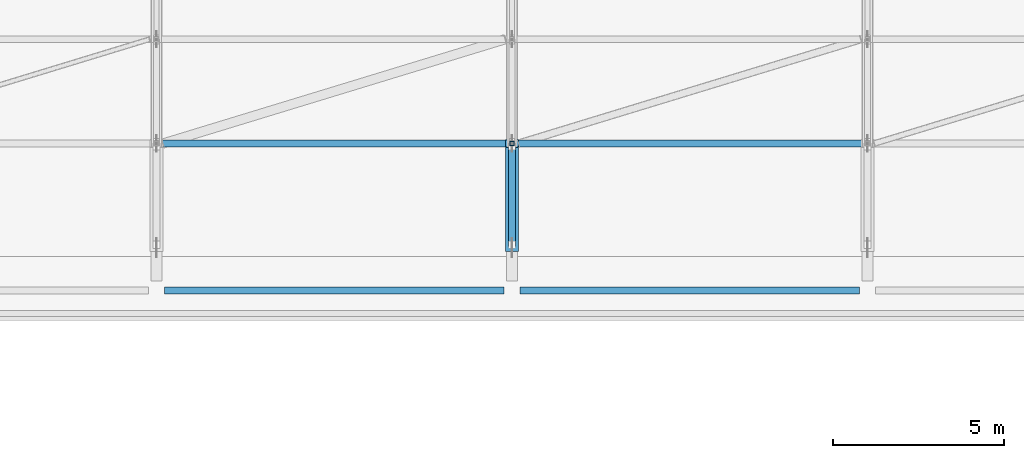
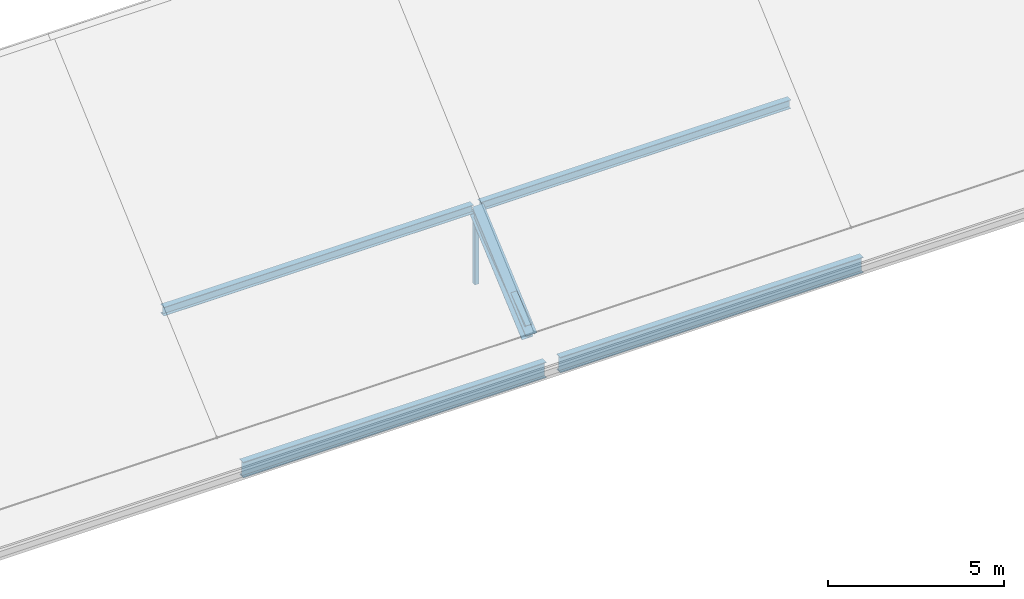
# One storey, part 19 of 86: 4 beams, 3 members.
"""IFC4 building model written with IfcOpenShell, lengths in metres."""

import ifcopenshell
import ifcopenshell.guid

model = None  # the IFC model being written
_history = None  # IfcOwnerHistory: only IFC2X3 demands one
_inside = {}  # id of a spatial element -> (the spatial element, [elements in it])
_under = {}  # id of a project, library or spatial element -> (it, [spatial elements below it])
_declared = {}  # id of a project -> (the project, [libraries it declares])
_typed = {}  # id of a type object -> (the type object, [elements of that type])
_made_of = {}  # id of a material, layer set ... -> (it, [elements and type objects made of it])


def new_model(schema):
    """Start an empty IFC model of exactly this schema.

    Asked for "IFC4X3", IfcOpenShell would pick the latest addendum, in which some entities
    have other attributes; the version numbers below select the first issue.
    IFC2X3 requires an IfcOwnerHistory on every rooted entity: one is made here for all.
    """
    global model, _history
    if schema == "IFC4X3":
        model = ifcopenshell.file(schema_version=(4, 3, 0, 0))
    else:
        model = ifcopenshell.file(schema=schema)
    _inside.clear()
    _under.clear()
    _declared.clear()
    _typed.clear()
    _made_of.clear()
    _history = None
    if model.schema == "IFC2X3":
        org = make("IfcOrganization", Name="unknown")
        user = make(
            "IfcPersonAndOrganization",
            ThePerson=make("IfcPerson", FamilyName="unknown"),
            TheOrganization=org,
        )
        app = make(
            "IfcApplication",
            ApplicationDeveloper=org,
            Version="unknown",
            ApplicationFullName="unknown",
            ApplicationIdentifier="unknown",
        )
        _history = make(
            "IfcOwnerHistory",
            OwningUser=user,
            OwningApplication=app,
            ChangeAction="ADDED",
            CreationDate=0,
        )
    return model


def make(cls, **values):
    """One entity of the class cls with the attributes given. An attribute that is None is left unset."""
    return model.create_entity(
        cls, **{name: value for name, value in values.items() if value is not None}
    )


def rooted(cls, **values):
    """An entity with a GlobalId (a new one), such as an element, a storey or a relation."""
    return make(cls, GlobalId=ifcopenshell.guid.new(), OwnerHistory=_history, **values)


def si_unit(unit_type, name, prefix=None):
    """IfcSIUnit, for example si_unit("LENGTHUNIT", "METRE", prefix="MILLI")."""
    return make("IfcSIUnit", UnitType=unit_type, Prefix=prefix, Name=name)


def derived_unit(unit_type, elements):
    """IfcDerivedUnit: a product of units, each with its exponent."""
    return make(
        "IfcDerivedUnit",
        Elements=[
            make("IfcDerivedUnitElement", Unit=unit, Exponent=power)
            for unit, power in elements
        ],
        UnitType=unit_type,
    )


def assignment(units):
    """IfcUnitAssignment: the units of a project."""
    return None if units is None else make("IfcUnitAssignment", Units=units)


def point(xyz):
    """IfcCartesianPoint."""
    return None if xyz is None else make("IfcCartesianPoint", Coordinates=xyz)


def direction(xyz):
    """IfcDirection."""
    return None if xyz is None else make("IfcDirection", DirectionRatios=xyz)


def frame(location, z_axis=None, x_axis=None):
    """IfcAxis2Placement3D, a coordinate frame: its origin and axes. An axis left out is left unset."""
    return make(
        "IfcAxis2Placement3D",
        Location=point(location),
        Axis=direction(z_axis),
        RefDirection=direction(x_axis),
    )


def frame_2d(location, x_axis=None):
    """IfcAxis2Placement2D, a coordinate frame in the plane: its origin and x axis."""
    return make(
        "IfcAxis2Placement2D", Location=point(location), RefDirection=direction(x_axis)
    )


def origin():
    """The frame at (0, 0, 0) with its axes left unset."""
    return frame((0.0, 0.0, 0.0))


def origin_2d():
    """The frame at (0, 0) in the plane with its x axis left unset."""
    return frame_2d((0.0, 0.0))


def place(relative_to, where):
    """IfcLocalPlacement: puts the frame where relative to a parent placement (None: the world)."""
    return make(
        "IfcLocalPlacement", PlacementRelTo=relative_to, RelativePlacement=where
    )


def context(
    kind, dimensions, precision=None, world=None, true_north=None, identifier=None
):
    """IfcGeometricRepresentationContext, for example the 3D "Model" context."""
    return make(
        "IfcGeometricRepresentationContext",
        ContextIdentifier=identifier,
        ContextType=kind,
        CoordinateSpaceDimension=dimensions,
        Precision=precision,
        WorldCoordinateSystem=world,
        TrueNorth=true_north,
    )


def subcontext(parent, identifier, kind, view, scale=None):
    """IfcGeometricRepresentationSubContext, for example "Body" below "Model"."""
    return make(
        "IfcGeometricRepresentationSubContext",
        ContextIdentifier=identifier,
        ContextType=kind,
        ParentContext=parent,
        TargetScale=scale,
        TargetView=view,
    )


def project(units=None, contexts=None):
    """IfcProject with its units and contexts."""
    return rooted(
        "IfcProject",
        Name="project",
        RepresentationContexts=contexts,
        UnitsInContext=assignment(units),
    )


def spatial(cls, under=None, at=None, **own):
    """A site, building, storey or space (cls), placed at a placement, below another one or the project."""
    s = rooted(cls, ObjectPlacement=at, **own)
    if under is not None:
        _under.setdefault(under.id(), (under, []))[1].append(s)
    return s


def profile(cls, at=None, kind="AREA", **sizes):
    """A parametric profile (cls). Its sizes go by their IFC names, for example OverallWidth=200.0."""
    return make(cls, ProfileType=kind, Position=at, **sizes)


def hollow_rectangle(**sizes):
    """IfcRectangleHollowProfileDef."""
    return profile("IfcRectangleHollowProfileDef", **sizes)


def i_section(**sizes):
    """IfcIShapeProfileDef."""
    return profile("IfcIShapeProfileDef", **sizes)


def extrude(swept, where, along, depth):
    """IfcExtrudedAreaSolid: the profile swept, set in the frame where, extruded along a direction by depth."""
    return make(
        "IfcExtrudedAreaSolid",
        SweptArea=swept,
        Position=where,
        ExtrudedDirection=direction(along),
        Depth=depth,
    )


def shape(context_of_items, identifier, shape_type, items):
    """IfcShapeRepresentation: the items that make up one representation, for example the "Body"."""
    return make(
        "IfcShapeRepresentation",
        ContextOfItems=context_of_items,
        RepresentationIdentifier=identifier,
        RepresentationType=shape_type,
        Items=items,
    )


def material(Name=None, Category=None):
    """IfcMaterial."""
    return make("IfcMaterial", Name=Name, Category=Category)


def material_profile(
    of_material, cross_section, Name=None, Category=None, Priority=None
):
    """IfcMaterialProfile: a cross section and its material."""
    return make(
        "IfcMaterialProfile",
        Name=Name,
        Material=of_material,
        Profile=cross_section,
        Priority=Priority,
        Category=Category,
    )


def profile_set(profiles, Name=None, composite=None):
    """IfcMaterialProfileSet."""
    return make(
        "IfcMaterialProfileSet",
        Name=Name,
        MaterialProfiles=profiles,
        CompositeProfile=composite,
    )


def made_of(thing, what):
    """Note that an element or type object is made of a material, layer set ...; save() writes the relation."""
    if what is not None:
        _made_of.setdefault(what.id(), (what, []))[1].append(thing)
    return thing


def type_object(cls, material=None, **own):
    """A type object (cls), such as IfcWallType, which elements share."""
    return made_of(rooted(cls, **own), material)


def element(
    cls,
    number,
    at=None,
    inside=None,
    cuts=None,
    type_object=None,
    material=None,
    context=None,
    identifier="Body",
    shape_type=None,
    held_by="IfcProductDefinitionShape",
    body=None,
    shapes=None,
    **own,
):
    """One element of the class cls, such as IfcWall. Its Tag is "e" and its number.

    at: its placement. inside: the storey or other place that contains it. cuts: it is an
    opening in that element (IfcRelVoidsElement). A single representation is given by context,
    identifier, shape_type and body (its items); several are given by shapes. held_by: the class
    of the entity that holds the representations. save() writes the other relations.
    """
    e = rooted(cls, Tag="e%d" % number, ObjectPlacement=at, **own)
    if body is not None:
        shapes = [shape(context, identifier, shape_type, body)]
    if shapes is not None:
        e.Representation = make(held_by, Representations=shapes)
    if inside is not None:
        _inside.setdefault(inside.id(), (inside, []))[1].append(e)
    if cuts is not None:
        rooted(
            "IfcRelVoidsElement", RelatingBuildingElement=cuts, RelatedOpeningElement=e
        )
    if type_object is not None:
        _typed.setdefault(type_object.id(), (type_object, []))[1].append(e)
    return made_of(e, material)


def aggregate(whole, parts):
    """IfcRelAggregates: a whole, such as a stair, and the parts it consists of."""
    return rooted("IfcRelAggregates", RelatingObject=whole, RelatedObjects=parts)


def save(model, path):
    """Write the relations noted so far, then the file.

    IfcRelAggregates (storeys below a building ...), IfcRelContainedInSpatialStructure (elements
    in a storey), IfcRelDefinesByType, IfcRelAssociatesMaterial and IfcRelDeclares: one each for
    every whole, place, type object, material and project.
    """
    for whole, parts in _under.values():
        aggregate(whole, parts)
    for where, things in _inside.values():
        rooted(
            "IfcRelContainedInSpatialStructure",
            RelatedElements=things,
            RelatingStructure=where,
        )
    for kind, things in _typed.values():
        rooted("IfcRelDefinesByType", RelatedObjects=things, RelatingType=kind)
    for what, things in _made_of.values():
        rooted("IfcRelAssociatesMaterial", RelatedObjects=things, RelatingMaterial=what)
    for by, libraries in _declared.values():
        rooted("IfcRelDeclares", RelatingContext=by, RelatedDefinitions=libraries)
    model.write(path)


model = new_model("IFC4")

# Units and contexts
model_context = context("Model", 3, precision=1e-05, world=origin(), true_north=direction((0.0, 1.0)))
body_context = subcontext(model_context, "Body", "Model", "MODEL_VIEW")
ifc_project = project(units=[si_unit("LENGTHUNIT", "METRE"), si_unit("AREAUNIT", "SQUARE_METRE"), si_unit("VOLUMEUNIT", "CUBIC_METRE"), si_unit("PLANEANGLEUNIT", "RADIAN"), si_unit("MASSUNIT", "GRAM", prefix="KILO"), derived_unit("THERMALTRANSMITTANCEUNIT", [(si_unit("POWERUNIT", "WATT"), 1), (si_unit("LENGTHUNIT", "METRE"), -2), (si_unit("THERMODYNAMICTEMPERATUREUNIT", "KELVIN"), -1)])], contexts=[model_context])

# Site, building, storey
site_placement = place(None, origin())
site = spatial("IfcSite", under=ifc_project, at=site_placement, CompositionType="ELEMENT")
building_placement = place(site_placement, origin())
building = spatial("IfcBuilding", under=site, at=building_placement, Name="Braskholm Square Health Centre", CompositionType="ELEMENT")
storey_placement = place(building_placement, frame((0.0, 0.0, 13.5)))
storey = spatial("IfcBuildingStorey", under=building, at=storey_placement, Name="L04", CompositionType="ELEMENT", Elevation=13.5)

# Beams
ifc_material_1 = material(Name="Steel ASTM A992 Grade 50", Category="steel")
ifc_material_profile_1 = material_profile(ifc_material_1, i_section(OverallWidth=0.202880859375, OverallDepth=0.302978515625, WebThickness=0.007568359375, FlangeThickness=0.01318359375, at=origin_2d()), Name="W12X40")
ifc_profile_set_1 = profile_set([ifc_material_profile_1], Name="Steel ASTM A992 Grade 50")
beam_type_1 = type_object("IfcBeamType", Name="RoofPurlinJoistW12X40", PredefinedType="JOIST", material=ifc_profile_set_1)
beam_1_placement = place(storey_placement, frame((78.919921875, 91.5, 2.402099609375), z_axis=(1.0, 0.0, 0.0), x_axis=(0.0, 1.0, 0.0)))
element("IfcBeam", 1, at=beam_1_placement, inside=storey, type_object=beam_type_1, Name="ROOF TRUSS purlin joist 016", PredefinedType="JOIST", context=body_context, shape_type="SweptSolid", body=[
    extrude(i_section(OverallWidth=0.202880859375, OverallDepth=0.302978515625, WebThickness=0.007568359375, FlangeThickness=0.01318359375, at=origin_2d()), origin(), (0.0, 0.0, 1.0), 10.16015625),
])
beam_2_placement = place(storey_placement, frame((89.320068359375, 91.5, 2.402099609375), z_axis=(1.0, 0.0, 0.0), x_axis=(0.0, 1.0, 0.0)))
element("IfcBeam", 2, at=beam_2_placement, inside=storey, type_object=beam_type_1, Name="ROOF TRUSS purlin joist 021", PredefinedType="JOIST", context=body_context, shape_type="SweptSolid", body=[
    extrude(i_section(OverallWidth=0.202880859375, OverallDepth=0.302978515625, WebThickness=0.007568359375, FlangeThickness=0.01318359375, at=origin_2d()), origin(), (0.0, 0.0, 1.0), 10.159912109375),
])
ifc_material_profile_2 = material_profile(ifc_material_1, i_section(OverallWidth=0.2119140625, OverallDepth=0.5439453125, WebThickness=0.01318359375, FlangeThickness=0.021240234375, at=origin_2d()), Name="W21X83")
ifc_profile_set_2 = profile_set([ifc_material_profile_2], Name="Steel ASTM A992 Grade 50")
beam_type_2 = type_object("IfcBeamType", Name="SteelGirderEaveW21X83", PredefinedType="BEAM", material=ifc_profile_set_2)
beam_3_placement = place(storey_placement, frame((79.030029296875, 87.199951171875, -0.52197265625), z_axis=(1.0, 0.0, 0.0), x_axis=(0.0, 1.0, 0.0)))
element("IfcBeam", 3, at=beam_3_placement, inside=storey, type_object=beam_type_2, Name="Beam 11-12/N L04", PredefinedType="BEAM", context=body_context, shape_type="SweptSolid", body=[
    extrude(i_section(OverallWidth=0.2119140625, OverallDepth=0.5439453125, WebThickness=0.01318359375, FlangeThickness=0.021240234375, at=origin_2d()), origin(), (0.0, 0.0, 1.0), 9.93994140625),
])
beam_4_placement = place(storey_placement, frame((89.429931640625, 87.199951171875, -0.52197265625), z_axis=(1.0, 0.0, 0.0), x_axis=(0.0, 1.0, 0.0)))
element("IfcBeam", 4, at=beam_4_placement, inside=storey, type_object=beam_type_2, Name="Beam 12-13/N L04", PredefinedType="BEAM", context=body_context, shape_type="SweptSolid", body=[
    extrude(i_section(OverallWidth=0.2119140625, OverallDepth=0.5439453125, WebThickness=0.01318359375, FlangeThickness=0.021240234375, at=origin_2d()), origin(), (0.0, 0.0, 1.0), 9.940185546875),
])

# Members
ifc_material_2 = material(Name="Steel ASTM A500 Grade C", Category="steel")
ifc_material_profile_3 = material_profile(ifc_material_2, hollow_rectangle(XDim=0.203125, YDim=0.203125, WallThickness=0.01171875, at=origin_2d()), Name="HSS8X8X1/2")
ifc_profile_set_3 = profile_set([ifc_material_profile_3], Name="Steel ASTM A500 Grade C")
member_type_1 = type_object("IfcMemberType", Name="TrussOuterDiagHSS8X8X12", PredefinedType="BRACE", material=ifc_profile_set_3)
member_1_placement = place(storey_placement, frame((89.199951171875, 88.5458984375, 0.031005859375), z_axis=(0.0, 0.803191214474, 0.595721304799), x_axis=(-1.0, 0.0, 0.0)))
element("IfcMember", 5, at=member_1_placement, inside=storey, type_object=member_type_1, Name="ROOF TRUSS diagonal web TR-05-D1", PredefinedType="BRACE", context=body_context, shape_type="SweptSolid", body=[
    extrude(hollow_rectangle(XDim=0.203125, YDim=0.203125, WallThickness=0.01171875, at=origin_2d()), origin(), (0.0, 0.0, 1.0), 3.55859375),
])
ifc_material_profile_4 = material_profile(ifc_material_1, i_section(OverallWidth=0.368896484375, OverallDepth=0.35595703125, WebThickness=0.01123046875, FlangeThickness=0.01806640625, at=origin_2d()), Name="W14X90")
ifc_profile_set_4 = profile_set([ifc_material_profile_4], Name="Steel ASTM A992 Grade 50")
member_type_2 = type_object("IfcMemberType", Name="TrussTopChordW14X90", PredefinedType="CHORD", material=ifc_profile_set_4)
member_2_placement = place(storey_placement, frame((89.199951171875, 88.449951171875, -0.260009765625), z_axis=(0.0, 0.755846764348, 0.654748553892), x_axis=(-1.0, 0.0, 0.0)))
element("IfcMember", 6, at=member_2_placement, inside=storey, type_object=member_type_2, Name="ROOF TRUSS top chord TR-05-1", PredefinedType="CHORD", context=body_context, shape_type="SweptSolid", body=[
    extrude(i_section(OverallWidth=0.368896484375, OverallDepth=0.35595703125, WebThickness=0.01123046875, FlangeThickness=0.01806640625, at=origin_2d()), origin(), (0.0, 0.0, 1.0), 4.03515625),
])
ifc_material_profile_5 = material_profile(ifc_material_2, hollow_rectangle(XDim=0.126953125, YDim=0.126953125, WallThickness=0.00732421875, at=origin_2d()), Name="HSS5X5X5/16")
ifc_profile_set_5 = profile_set([ifc_material_profile_5], Name="Steel ASTM A500 Grade C")
member_type_3 = type_object("IfcMemberType", Name="TrussVerticalStrutHSS5X5", PredefinedType="STRUT", material=ifc_profile_set_5)
member_3_placement = place(storey_placement, frame((89.199951171875, 91.5, -0.27001953125), z_axis=(0.0, 0.0, 1.0), x_axis=(1.0, 0.0, 0.0)))
element("IfcMember", 7, at=member_3_placement, inside=storey, type_object=member_type_3, Name="ROOF TRUSS vertical strut TR-05-V1", PredefinedType="STRUT", context=body_context, shape_type="SweptSolid", body=[
    extrude(hollow_rectangle(XDim=0.126953125, YDim=0.126953125, WallThickness=0.00732421875, at=origin_2d()), origin(), (0.0, 0.0, 1.0), 2.4921875),
])

save(model, "model.ifc")
